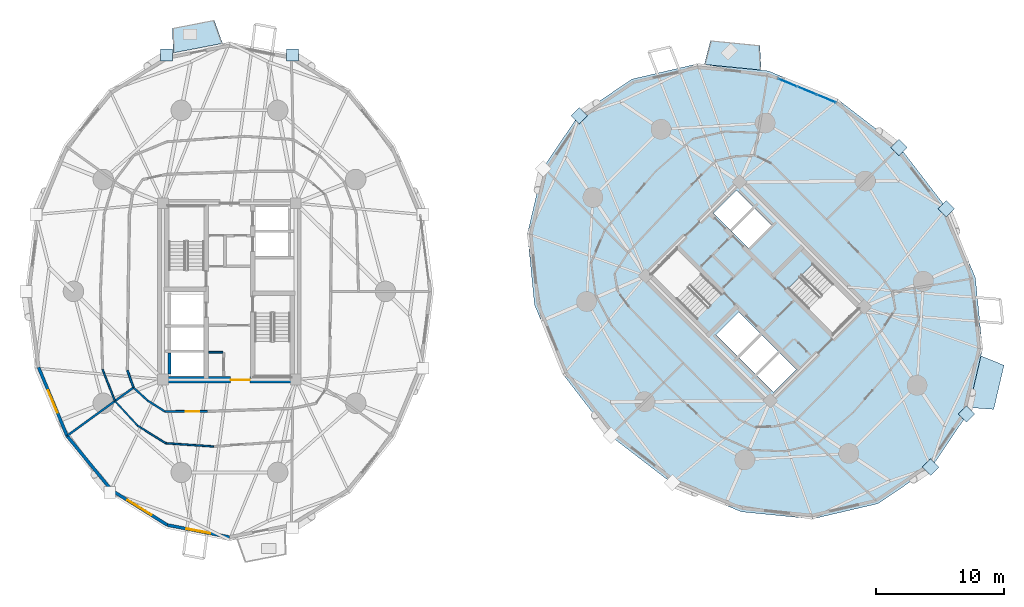
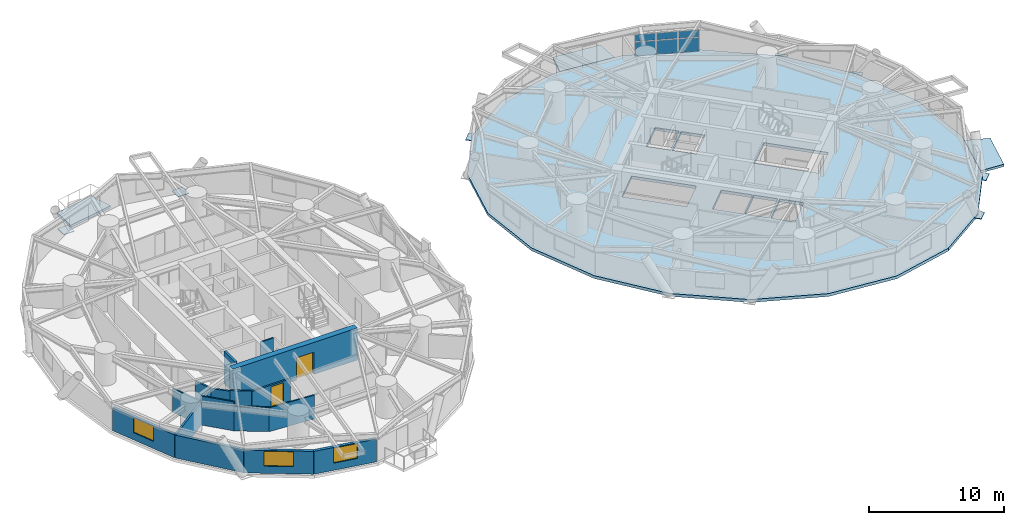
# One storey, part 9 of 18: 16 walls, 13 plates, 4 slabs, 3 windows, 2 doors, 5 openings, 1 element without a shape of its own.
"""IFC4 building model written with IfcOpenShell, lengths in metres."""

from ifc_helpers import new_model, si_unit, direction, frame, frame_2d, origin, origin_2d, place, context, subcontext, project, spatial, polyline, rectangle, outline, extrude, source, transform, mapped, material, layer, layer_set, type_object, element, fill, aggregate, save


model = new_model("IFC4")

# Units and contexts
model_context = context("Model", 3, precision=1e-05, world=origin(), true_north=direction((0.0, 1.0)))
body_context = subcontext(model_context, "Body", "Model", "MODEL_VIEW")
ifc_project = project(units=[si_unit("LENGTHUNIT", "METRE"), si_unit("AREAUNIT", "SQUARE_METRE"), si_unit("VOLUMEUNIT", "CUBIC_METRE"), si_unit("PLANEANGLEUNIT", "RADIAN"), si_unit("MASSUNIT", "GRAM", prefix="KILO")], contexts=[model_context])

# Site, building, storey
site_placement = place(None, origin())
site = spatial("IfcSite", under=ifc_project, at=site_placement, CompositionType="ELEMENT")
building_placement = place(site_placement, origin())
building = spatial("IfcBuilding", under=site, at=building_placement, Name="Cununo Teusaquillo Station Towers", CompositionType="ELEMENT")
storey_placement = place(building_placement, frame((0.0, 0.0, 56.919921875)))
storey = spatial("IfcBuildingStorey", under=building, at=storey_placement, Name="L17", CompositionType="ELEMENT", Elevation=56.919921875)

# Slabs
ifc_material_1 = material(Name="Concrete C50/60", Category="concrete")
ifc_layer_1 = layer(ifc_material_1, 0.2099609375)
ifc_layer_set_1 = layer_set([ifc_layer_1], Name="Concrete C50/60")
slab_type_1 = type_object("IfcSlabType", Name="SLB-BAL-210", PredefinedType="FLOOR", material=ifc_layer_set_1)
slab_1_placement = place(storey_placement, frame((0.0, 0.0, -0.2099609375)))
element("IfcSlab", 1, at=slab_1_placement, inside=storey, type_object=slab_type_1, Name="L17 Tower A Tree Balcony Slab 1", PredefinedType="FLOOR", context=body_context, shape_type="SweptSolid", body=[
    extrude(outline(polyline([(15.958984375, 43.8505859375), (12.1123046875, 43.107421875), (12.043701171875, 45.04443359375), (15.30126953125, 45.673828125), (15.958984375, 43.8505859375)])), origin(), (0.0, 0.0, 1.0), 0.2099609375),
])
slab_2_placement = place(storey_placement, frame((0.0, 0.0, -0.2099609375)))
element("IfcSlab", 2, at=slab_2_placement, inside=storey, type_object=slab_type_1, Name="L17 Tower B Tree Balcony Slab 1", PredefinedType="FLOOR", context=body_context, shape_type="SweptSolid", body=[
    extrude(outline(polyline([(57.98974609375, 41.763427734375), (53.547607421875, 42.20361328125), (54.034912109375, 44.079833984375), (57.8798828125, 43.69873046875), (57.98974609375, 41.763427734375)])), origin(), (0.0, 0.0, 1.0), 0.2099609375),
])
slab_3_placement = place(storey_placement, frame((0.0, 0.0, -0.2099609375)))
element("IfcSlab", 3, at=slab_3_placement, inside=storey, type_object=slab_type_1, Name="L17 Tower B Tree Balcony Slab 2", PredefinedType="FLOOR", context=body_context, shape_type="SweptSolid", body=[
    extrude(outline(polyline([(74.193603515625, 15.43798828125), (75.1328125, 19.462890625), (76.9296875, 18.735595703125), (76.126708984375, 15.295166015625), (74.193603515625, 15.43798828125)])), origin(), (0.0, 0.0, 1.0), 0.2099609375),
])
ifc_material_2 = material(Name="Concrete C50/60", Category="concrete")
ifc_layer_2 = layer(ifc_material_2, 0.260009765625)
ifc_layer_set_2 = layer_set([ifc_layer_2], Name="Concrete C50/60")
slab_type_2 = type_object("IfcSlabType", Name="SLB-Z1-260", PredefinedType="FLOOR", material=ifc_layer_set_2)
slab_4_placement = place(storey_placement, frame((0.0, 0.0, -0.260009765625)))
element("IfcSlab", 4, at=slab_4_placement, inside=storey, type_object=slab_type_2, Name="L17 Tower B Floor Slab", PredefinedType="FLOOR", context=body_context, shape_type="SweptSolid", body=[
    extrude(outline(polyline([(68.7734375, 35.7734375), (63.9716796875, 39.4716796875), (58.53662109375, 41.704345703125), (52.999755859375, 42.2529296875), (47.903564453125, 41.063720703125), (43.746826171875, 38.253173828125), (40.936279296875, 34.096435546875), (39.7470703125, 29.000244140625), (40.295654296875, 23.46337890625), (42.5283203125, 18.0283203125), (46.2265625, 13.2265625), (51.0283203125, 9.5283203125), (56.46337890625, 7.295654296875), (62.000244140625, 6.7470703125), (67.096435546875, 7.936279296875), (71.253173828125, 10.746826171875), (74.063720703125, 14.903564453125), (75.2529296875, 19.999755859375), (74.704345703125, 25.53662109375), (72.4716796875, 30.9716796875), (68.7734375, 35.7734375)]), holes=[polyline([(54.914794921875, 24.28515625), (51.390625, 27.809326171875), (49.43896484375, 25.857666015625), (52.963134765625, 22.33349609375), (54.914794921875, 24.28515625)]), polyline([(60.085205078125, 24.71484375), (63.609375, 21.190673828125), (65.56103515625, 23.142333984375), (62.036865234375, 26.66650390625), (60.085205078125, 24.71484375)]), polyline([(56.156494140625, 19.40869140625), (57.945556640625, 21.19775390625), (56.248291015625, 22.89501953125), (54.45947265625, 21.10595703125), (56.156494140625, 19.40869140625)]), polyline([(58.94970703125, 16.61572265625), (60.738525390625, 18.40478515625), (59.430419921875, 19.712890625), (57.641357421875, 17.923828125), (58.94970703125, 16.61572265625)]), polyline([(57.535400390625, 18.030029296875), (59.32421875, 19.819091796875), (58.01611328125, 21.127197265625), (56.227294921875, 19.338134765625), (57.535400390625, 18.030029296875)]), polyline([(56.98388671875, 27.872802734375), (58.772705078125, 29.661865234375), (57.464599609375, 30.969970703125), (55.67578125, 29.180908203125), (56.98388671875, 27.872802734375)]), polyline([(55.569580078125, 29.287109375), (57.358642578125, 31.076171875), (56.05029296875, 32.38427734375), (54.261474609375, 30.59521484375), (55.569580078125, 29.287109375)])]), origin(), (0.0, 0.0, 1.0), 0.260009765625),
])

# Plates
ifc_material_3 = material(Name="Steel ASTM A572 Grade 50", Category="steel")
ifc_layer_3 = layer(ifc_material_3, 0.050048828125)
ifc_layer_set_3 = layer_set([ifc_layer_3], Name="Steel ASTM A572 Grade 50")
plate_type_1 = type_object("IfcPlateType", Name="PLT-NODE-DN1", PredefinedType="USERDEFINED", material=ifc_layer_set_3)
shared_shape_1 = source(origin(), body_context, "Body", "SweptSolid", [
    extrude(rectangle(XDim=0.919921875, YDim=0.919921875, at=origin_2d()), origin(), (0.0, 0.0, 1.0), 0.050048828125),
])
for number, where, z_axis, x_axis, name in (
    (5, (21.408203125, 42.94091796875, -0.1650390625), (0.0, 0.0, 1.0), (1.0, 0.0, 0.0), "L17 Tower A Diagrid Node Assembly C03"),
    (6, (11.591796875, 42.94091796875, -0.1650390625), (0.0, 0.0, 1.0), (1.0, 0.0, 0.0), "L17 Tower A Diagrid Node Assembly C06"),
    (7, (68.73095703125, 35.73095703125, -0.1650390625), (0.0, 0.0, 1.0), (0.707106781187, 0.707106781187, 0.0), "L17 Tower B Diagrid Node Assembly C00"),
    (8, (43.789306640625, 38.210693359375, -0.1650390625), (0.0, 0.0, 1.0), (0.707106781187, 0.707106781187, 0.0), "L17 Tower B Diagrid Node Assembly C04"),
    (9, (71.210693359375, 10.789306640625, -0.1650390625), (0.0, 0.0, 1.0), (0.707106781187, 0.707106781187, 0.0), "L17 Tower B Diagrid Node Assembly C14"),
    (10, (74.01025390625, 14.930908203125, -0.1650390625), (0.0, 0.0, 1.0), (0.707106781187, 0.707106781187, 0.0), "L17 Tower B Diagrid Node Assembly C16"),
    (11, (72.418212890625, 30.9443359375, -0.1650390625), (0.0, 0.0, 1.0), (0.707106781187, 0.707106781187, 0.0), "L17 Tower B Diagrid Node Assembly C18"),
):
    element("IfcPlate", number, at=place(storey_placement, frame(where, z_axis=z_axis, x_axis=x_axis)), inside=storey, type_object=plate_type_1, Name=name, ObjectType="GUSSET PLATE", PredefinedType="USERDEFINED", context=body_context, shape_type="MappedRepresentation", body=[
        mapped(shared_shape_1, transform((0.0, 0.0, 0.0), x_axis=(1.0, 0.0, 0.0), y_axis=(0.0, 1.0, 0.0), z_axis=(0.0, 0.0, 1.0), scale=1.0)),
    ])

# Curtain wall, plates
ifc_material_4 = material(Name="Operable acoustic tinted low-E double glazing", Category="glass")
ifc_layer_4 = layer(ifc_material_4, 0.179931640625)
ifc_layer_set_4 = layer_set([ifc_layer_4], Name="Operable acoustic tinted low-E double glazing")
curtain_wall_type = type_object("IfcCurtainWallType", Name="CW-SYS-03", PredefinedType="USERDEFINED", material=ifc_layer_set_4)
curtain_wall_placement = place(storey_placement, origin())
curtain_wall = element("IfcCurtainWall", 12, at=curtain_wall_placement, inside=storey, type_object=curtain_wall_type, Name="L17 Tower B Facade Curtain Wall C01", ObjectType="OPERABLE GLAZING", PredefinedType="USERDEFINED")
ifc_material_5 = material(Name="Operable acoustic tinted low-E double glazing", Category="glass")
ifc_layer_5 = layer(ifc_material_5, 0.031982421875)
ifc_layer_set_5 = layer_set([ifc_layer_5], Name="Operable acoustic tinted low-E double glazing")
plate_type_2 = type_object("IfcPlateType", Name="CWP-OPER-32", PredefinedType="CURTAIN_PANEL", material=ifc_layer_set_5)
shared_shape_2 = source(origin(), body_context, "Body", "SweptSolid", [
    extrude(rectangle(XDim=1.541259765625, YDim=0.031982421875, at=origin_2d()), origin(), (0.0, 0.0, 1.0), 1.241943359375),
])
plate_1_placement = place(storey_placement, frame((60.0556640625, 40.783447265625, 0.0703125), z_axis=(0.0, 0.0, 1.0), x_axis=(0.924572384299, -0.381006438517, 0.0)))
plate_1 = element("IfcPlate", 13, at=plate_1_placement, type_object=plate_type_2, Name="CW-03 panel 1.1", PredefinedType="CURTAIN_PANEL", context=body_context, shape_type="MappedRepresentation", body=[
    mapped(shared_shape_2, transform((0.0, 0.0, 0.0), x_axis=(1.0, 0.0, 0.0), y_axis=(0.0, 1.0, 0.0), z_axis=(0.0, 0.0, 1.0), scale=1.0)),
])
plate_2_placement = place(storey_placement, frame((63.0673828125, 39.54248046875, 0.0703125), z_axis=(0.0, 0.0, 1.0), x_axis=(0.924572384299, -0.381006438517, 0.0)))
plate_2 = element("IfcPlate", 14, at=plate_2_placement, type_object=plate_type_2, Name="CW-03 panel 3.1", PredefinedType="CURTAIN_PANEL", context=body_context, shape_type="MappedRepresentation", body=[
    mapped(shared_shape_2, transform((0.0, 0.0, 0.0), x_axis=(1.0, 0.0, 0.0), y_axis=(0.0, 1.0, 0.0), z_axis=(0.0, 0.0, 1.0), scale=1.0)),
])
shared_shape_3 = source(origin(), body_context, "Body", "SweptSolid", [
    extrude(rectangle(XDim=1.541259765625, YDim=0.031982421875, at=origin_2d()), origin(), (0.0, 0.0, 1.0), 0.62109375),
])
plate_3_placement = place(storey_placement, frame((60.0556640625, 40.783447265625, 1.382080078125), z_axis=(0.0, 0.0, 1.0), x_axis=(0.924572384299, -0.381006438517, 0.0)))
plate_3 = element("IfcPlate", 15, at=plate_3_placement, type_object=plate_type_2, Name="CW-03 panel 1.2", PredefinedType="CURTAIN_PANEL", context=body_context, shape_type="MappedRepresentation", body=[
    mapped(shared_shape_3, transform((0.0, 0.0, 0.0), x_axis=(1.0, 0.0, 0.0), y_axis=(0.0, 1.0, 0.0), z_axis=(0.0, 0.0, 1.0), scale=1.0)),
])
plate_4_placement = place(storey_placement, frame((63.0673828125, 39.54248046875, 1.382080078125), z_axis=(0.0, 0.0, 1.0), x_axis=(0.924572384299, -0.381006438517, 0.0)))
plate_4 = element("IfcPlate", 16, at=plate_4_placement, type_object=plate_type_2, Name="CW-03 panel 3.2", PredefinedType="CURTAIN_PANEL", context=body_context, shape_type="MappedRepresentation", body=[
    mapped(shared_shape_3, transform((0.0, 0.0, 0.0), x_axis=(1.0, 0.0, 0.0), y_axis=(0.0, 1.0, 0.0), z_axis=(0.0, 0.0, 1.0), scale=1.0)),
])
shared_shape_4 = source(origin(), body_context, "Body", "SweptSolid", [
    extrude(rectangle(XDim=1.576171875, YDim=0.031982421875, at=origin_2d()), origin(), (0.0, 0.0, 1.0), 1.241943359375),
])
plate_5_placement = place(storey_placement, frame((61.5615234375, 40.1630859375, 0.0703125), z_axis=(0.0, 0.0, 1.0), x_axis=(0.924572384299, -0.381006438517, 0.0)))
plate_5 = element("IfcPlate", 17, at=plate_5_placement, type_object=plate_type_2, Name="CW-03 panel 2.1", PredefinedType="CURTAIN_PANEL", context=body_context, shape_type="MappedRepresentation", body=[
    mapped(shared_shape_4, transform((0.0, 0.0, 0.0), x_axis=(1.0, 0.0, 0.0), y_axis=(0.0, 1.0, 0.0), z_axis=(0.0, 0.0, 1.0), scale=1.0)),
])
shared_shape_5 = source(origin(), body_context, "Body", "SweptSolid", [
    extrude(rectangle(XDim=1.576171875, YDim=0.031982421875, at=origin_2d()), origin(), (0.0, 0.0, 1.0), 0.62109375),
])
plate_6_placement = place(storey_placement, frame((61.5615234375, 40.1630859375, 1.382080078125), z_axis=(0.0, 0.0, 1.0), x_axis=(0.924572384299, -0.381006438517, 0.0)))
plate_6 = element("IfcPlate", 18, at=plate_6_placement, type_object=plate_type_2, Name="CW-03 panel 2.2", PredefinedType="CURTAIN_PANEL", context=body_context, shape_type="MappedRepresentation", body=[
    mapped(shared_shape_5, transform((0.0, 0.0, 0.0), x_axis=(1.0, 0.0, 0.0), y_axis=(0.0, 1.0, 0.0), z_axis=(0.0, 0.0, 1.0), scale=1.0)),
])
aggregate(curtain_wall, [plate_1, plate_3, plate_5, plate_6, plate_2, plate_4])

# Wall
ifc_material_6 = material(Name="Concrete C50/60", Category="concrete")
ifc_layer_6 = layer(ifc_material_6, 0.199951171875)
ifc_layer_set_6 = layer_set([ifc_layer_6], Name="Concrete C50/60")
wall_type_1 = type_object("IfcWallType", Name="WL-CORE-200", PredefinedType="SHEAR", material=ifc_layer_set_6)
wall_1_placement = place(storey_placement, frame((11.820068359375, 18.070068359375, 0.0), z_axis=(0.0, 0.0, 1.0), x_axis=(0.0, 1.0, 0.0)))
element("IfcWall", 19, at=wall_1_placement, inside=storey, type_object=wall_type_1, Name="L17 Tower A High-Rise Lift 1 Shaft Rear Shear Wall", PredefinedType="SHEAR", context=body_context, shape_type="SweptSolid", body=[
    extrude(rectangle(XDim=1.635009765625, YDim=0.199951171875, at=frame_2d((0.8173828125, 0.0))), origin(), (0.0, 0.0, 1.0), 2.91015625),
])

# Wall, opening, door
ifc_material_7 = material(Name="Concrete C60/75", Category="concrete")
ifc_layer_7 = layer(ifc_material_7, 0.5)
ifc_layer_set_7 = layer_set([ifc_layer_7], Name="Concrete C60/75")
wall_type_2 = type_object("IfcWallType", Name="WL-CORE-500", PredefinedType="SHEAR", material=ifc_layer_set_7)
wall_2_placement = place(storey_placement, frame((11.14990234375, 17.60009765625, 0.0), z_axis=(0.0, 0.0, 1.0), x_axis=(1.0, 0.0, 0.0)))
wall_2 = element("IfcWall", 20, at=wall_2_placement, inside=storey, type_object=wall_type_2, Name="L17 Tower A Core Shear Wall S", PredefinedType="SHEAR", context=body_context, shape_type="SweptSolid", body=[
    extrude(rectangle(XDim=10.7001953125, YDim=0.5, at=frame_2d((5.35009765625, 0.0))), origin(), (0.0, 0.0, 1.0), 2.91015625),
])
shared_shape_6 = source(origin(), body_context, "Body", "SweptSolid", [
    extrude(rectangle(XDim=1.5, YDim=2.02001953125, at=frame_2d((0.75, 1.010009765625))), frame((0.0, 0.260009765625, 0.0), z_axis=(0.0, -1.0, 0.0), x_axis=(1.0, 0.0, 0.0)), (0.0, 0.0, 1.0), 0.52001953125),
])
opening_1_placement = place(wall_2_placement, frame((5.449951171875, 0.0, 0.0)))
opening_1 = element("IfcOpeningElement", 21, at=opening_1_placement, cuts=wall_2, Name="Opening D-LB1", PredefinedType="OPENING", context=body_context, shape_type="MappedRepresentation", body=[
    mapped(shared_shape_6, transform((0.0, 0.0, 0.0), x_axis=(1.0, 0.0, 0.0), y_axis=(0.0, 1.0, 0.0), z_axis=(0.0, 0.0, 1.0), scale=1.0)),
])
ifc_material_8 = material(Name="Galvanised fire-rated hollow steel door assembly", Category="steel")
door_type_1 = type_object("IfcDoorType", Name="DR-LOBBY-1500", OperationType="DOUBLE_DOOR_SINGLE_SWING", PredefinedType="DOOR", material=ifc_material_8)
shared_shape_7 = source(origin(), body_context, "Body", "SweptSolid", [
    extrude(rectangle(XDim=1.5, YDim=2.02001953125, at=frame_2d((0.75, 1.010009765625))), frame((0.0, 0.02490234375, 0.0), z_axis=(0.0, -1.0, 0.0), x_axis=(1.0, 0.0, 0.0)), (0.0, 0.0, 1.0), 0.050048828125),
])
door_1_placement = place(opening_1_placement, origin())
door_1 = element("IfcDoor", 22, at=door_1_placement, inside=storey, type_object=door_type_1, Name="L17 Tower A South Core Lift Lobby Door", OperationType="DOUBLE_DOOR_SINGLE_SWING", OverallHeight=2.02001953125, OverallWidth=1.5, PredefinedType="DOOR", context=body_context, shape_type="MappedRepresentation", body=[
    mapped(shared_shape_7, transform((0.0, 0.0, 0.0), x_axis=(1.0, 0.0, 0.0), y_axis=(0.0, 1.0, 0.0), z_axis=(0.0, 0.0, 1.0), scale=1.0)),
])
fill(opening_1, door_1)

# Wall, opening, window
ifc_material_9 = material(Name="Precast concrete C40/50", Category="concrete")
ifc_layer_8 = layer(ifc_material_9, 0.239990234375)
ifc_layer_set_8 = layer_set([ifc_layer_8], Name="Precast concrete C40/50")
wall_type_3 = type_object("IfcWallType", Name="WL-EXT-240", PredefinedType="SOLIDWALL", material=ifc_layer_set_8)
wall_3_placement = place(storey_placement, frame((3.828369140625, 13.232177734375, 0.0), z_axis=(0.0, 0.0, 1.0), x_axis=(-0.384348836956, 0.923187939442, 0.0)))
wall_3 = element("IfcWall", 23, at=wall_3_placement, inside=storey, type_object=wall_type_3, Name="L17 Tower A Exterior Facade Wall C11", PredefinedType="SOLIDWALL", context=body_context, shape_type="SweptSolid", body=[
    extrude(rectangle(XDim=5.78857421875, YDim=0.239990234375, at=frame_2d((2.894287109375, 0.0))), origin(), (0.0, 0.0, 1.0), 2.072998046875),
])
shared_shape_8 = source(origin(), body_context, "Body", "SweptSolid", [
    extrude(rectangle(XDim=1.89990234375, YDim=1.35009765625, at=frame_2d((0.949951171875, 0.675048828125))), frame((0.0, 0.1298828125, 0.0), z_axis=(0.0, -1.0, 0.0), x_axis=(1.0, 0.0, 0.0)), (0.0, 0.0, 1.0), 0.260009765625),
])
opening_2_placement = place(wall_3_placement, frame((1.944091796875, 0.0, 0.64990234375)))
opening_2 = element("IfcOpeningElement", 24, at=opening_2_placement, cuts=wall_3, Name="Opening WN-02", PredefinedType="OPENING", context=body_context, shape_type="MappedRepresentation", body=[
    mapped(shared_shape_8, transform((0.0, 0.0, 0.0), x_axis=(1.0, 0.0, 0.0), y_axis=(0.0, 1.0, 0.0), z_axis=(0.0, 0.0, 1.0), scale=1.0)),
])
ifc_material_10 = material(Name="Operable acoustic tinted low-E double glazing", Category="glass")
window_type_1 = type_object("IfcWindowType", Name="WIN-OPER-1900", PartitioningType="DOUBLE_PANEL_VERTICAL", PredefinedType="WINDOW", material=ifc_material_10)
shared_shape_9 = source(origin(), body_context, "Body", "SweptSolid", [
    extrude(rectangle(XDim=1.89990234375, YDim=1.35009765625, at=frame_2d((0.949951171875, 0.675048828125))), frame((0.0, 0.030029296875, 0.0), z_axis=(0.0, -1.0, 0.0), x_axis=(1.0, 0.0, 0.0)), (0.0, 0.0, 1.0), 0.06005859375),
])
window_1_placement = place(opening_2_placement, origin())
window_1 = element("IfcWindow", 25, at=window_1_placement, inside=storey, type_object=window_type_1, Name="L17 Tower A Facade Window C11", OverallHeight=1.35009765625, OverallWidth=1.89990234375, PartitioningType="DOUBLE_PANEL_VERTICAL", PredefinedType="WINDOW", context=body_context, shape_type="MappedRepresentation", body=[
    mapped(shared_shape_9, transform((0.0, 0.0, 0.0), x_axis=(1.0, 0.0, 0.0), y_axis=(0.0, 1.0, 0.0), z_axis=(0.0, 0.0, 1.0), scale=1.0)),
])
fill(opening_2, window_1)

# Wall
wall_4_placement = place(storey_placement, frame((7.29345703125, 8.9912109375, 0.0), z_axis=(0.0, 0.0, 1.0), x_axis=(-0.632713287022, 0.77438614168, 0.0)))
element("IfcWall", 26, at=wall_4_placement, inside=storey, type_object=wall_type_3, Name="L17 Tower A Exterior Facade Wall C12", PredefinedType="SOLIDWALL", context=body_context, shape_type="SweptSolid", body=[
    extrude(rectangle(XDim=5.4765625, YDim=0.239990234375, at=frame_2d((2.73828125, 0.0))), origin(), (0.0, 0.0, 1.0), 2.072998046875),
])

# Wall, opening, window
wall_5_placement = place(storey_placement, frame((11.659912109375, 6.268310546875, 0.0), z_axis=(0.0, 0.0, 1.0), x_axis=(-0.848533613342, 0.529141481107, 0.0)))
wall_5 = element("IfcWall", 27, at=wall_5_placement, inside=storey, type_object=wall_type_3, Name="L17 Tower A Exterior Facade Wall C13", PredefinedType="SOLIDWALL", context=body_context, shape_type="SweptSolid", body=[
    extrude(rectangle(XDim=5.14599609375, YDim=0.239990234375, at=frame_2d((2.572998046875, 0.0))), origin(), (0.0, 0.0, 1.0), 2.072998046875),
])
shared_shape_10 = source(origin(), body_context, "Body", "SweptSolid", [
    extrude(rectangle(XDim=2.199951171875, YDim=1.35009765625, at=frame_2d((1.10009765625, 0.675048828125))), frame((0.0, 0.1298828125, 0.0), z_axis=(0.0, -1.0, 0.0), x_axis=(1.0, 0.0, 0.0)), (0.0, 0.0, 1.0), 0.260009765625),
])
opening_3_placement = place(wall_5_placement, frame((1.472900390625, 0.0, 0.64990234375)))
opening_3 = element("IfcOpeningElement", 28, at=opening_3_placement, cuts=wall_5, Name="Opening WN-01", PredefinedType="OPENING", context=body_context, shape_type="MappedRepresentation", body=[
    mapped(shared_shape_10, transform((0.0, 0.0, 0.0), x_axis=(1.0, 0.0, 0.0), y_axis=(0.0, 1.0, 0.0), z_axis=(0.0, 0.0, 1.0), scale=1.0)),
])
ifc_material_11 = material(Name="Ceramic-fritted dark low-E double glazing", Category="glass")
window_type_2 = type_object("IfcWindowType", Name="WIN-FRIT-2200", PartitioningType="DOUBLE_PANEL_VERTICAL", PredefinedType="WINDOW", material=ifc_material_11)
shared_shape_11 = source(origin(), body_context, "Body", "SweptSolid", [
    extrude(rectangle(XDim=2.199951171875, YDim=1.35009765625, at=frame_2d((1.10009765625, 0.675048828125))), frame((0.0, 0.030029296875, 0.0), z_axis=(0.0, -1.0, 0.0), x_axis=(1.0, 0.0, 0.0)), (0.0, 0.0, 1.0), 0.06005859375),
])
window_2_placement = place(opening_3_placement, origin())
window_2 = element("IfcWindow", 29, at=window_2_placement, inside=storey, type_object=window_type_2, Name="L17 Tower A Facade Window C13", OverallHeight=1.35009765625, OverallWidth=2.199951171875, PartitioningType="DOUBLE_PANEL_VERTICAL", PredefinedType="WINDOW", context=body_context, shape_type="MappedRepresentation", body=[
    mapped(shared_shape_11, transform((0.0, 0.0, 0.0), x_axis=(1.0, 0.0, 0.0), y_axis=(0.0, 1.0, 0.0), z_axis=(0.0, 0.0, 1.0), scale=1.0)),
])
fill(opening_3, window_2)

wall_6_placement = place(storey_placement, frame((16.5, 5.330078125, 0.0), z_axis=(0.0, 0.0, 1.0), x_axis=(-0.981725274071, 0.190303668512, 0.0)))
wall_6 = element("IfcWall", 30, at=wall_6_placement, inside=storey, type_object=wall_type_3, Name="L17 Tower A Exterior Facade Wall C14", PredefinedType="SOLIDWALL", context=body_context, shape_type="SweptSolid", body=[
    extrude(rectangle(XDim=4.93017578125, YDim=0.239990234375, at=frame_2d((2.465087890625, 0.0))), origin(), (0.0, 0.0, 1.0), 2.072998046875),
])
opening_4_placement = place(wall_6_placement, frame((1.514892578125, 0.0, 0.64990234375)))
opening_4 = element("IfcOpeningElement", 31, at=opening_4_placement, cuts=wall_6, Name="Opening WN-02", PredefinedType="OPENING", context=body_context, shape_type="MappedRepresentation", body=[
    mapped(shared_shape_8, transform((0.0, 0.0, 0.0), x_axis=(1.0, 0.0, 0.0), y_axis=(0.0, 1.0, 0.0), z_axis=(0.0, 0.0, 1.0), scale=1.0)),
])
window_3_placement = place(opening_4_placement, origin())
window_3 = element("IfcWindow", 32, at=window_3_placement, inside=storey, type_object=window_type_1, Name="L17 Tower A Facade Window C14", OverallHeight=1.35009765625, OverallWidth=1.89990234375, PartitioningType="DOUBLE_PANEL_VERTICAL", PredefinedType="WINDOW", context=body_context, shape_type="MappedRepresentation", body=[
    mapped(shared_shape_9, transform((0.0, 0.0, 0.0), x_axis=(1.0, 0.0, 0.0), y_axis=(0.0, 1.0, 0.0), z_axis=(0.0, 0.0, 1.0), scale=1.0)),
])
fill(opening_4, window_3)

# Walls
ifc_material_12 = material(Name="Fire-rated gypsum plasterboard partition assembly", Category="gypsum")
ifc_layer_9 = layer(ifc_material_12, 0.125)
ifc_layer_set_9 = layer_set([ifc_layer_9], Name="Fire-rated gypsum plasterboard partition assembly")
wall_type_4 = type_object("IfcWallType", Name="WL-PART-125", PredefinedType="PARTITIONING", material=ifc_layer_set_9)
wall_7_placement = place(storey_placement, frame((14.8798828125, 19.75, 0.0), z_axis=(0.0, 0.0, 1.0), x_axis=(1.0, 0.0, 0.0)))
element("IfcWall", 33, at=wall_7_placement, inside=storey, type_object=wall_type_4, Name="L17 Tower A South-West Compact Store North Wall", PredefinedType="PARTITIONING", context=body_context, shape_type="SweptSolid", body=[
    extrude(rectangle(XDim=1.10009765625, YDim=0.125, at=frame_2d((0.550048828125, 0.0))), origin(), (0.0, 0.0, 1.0), 2.635009765625),
])
wall_8_placement = place(storey_placement, frame((6.601806640625, 18.406494140625, 0.0), z_axis=(0.0, 0.0, 1.0), x_axis=(0.363943166681, -0.931421156849, 0.0)))
element("IfcWall", 34, at=wall_8_placement, inside=storey, type_object=wall_type_4, Name="L17 Tower A Hotel Concierge & Library Club Concentric Partition Wall C11", PredefinedType="PARTITIONING", context=body_context, shape_type="SweptSolid", body=[
    extrude(rectangle(XDim=2.643798828125, YDim=0.125, at=frame_2d((1.32177734375, 0.0))), origin(), (0.0, 0.0, 1.0), 2.1591796875),
])
wall_9_placement = place(storey_placement, frame((7.56396484375, 15.944091796875, 0.0), z_axis=(0.0, 0.0, 1.0), x_axis=(0.677781429023, -0.735263445624, 0.0)))
element("IfcWall", 35, at=wall_9_placement, inside=storey, type_object=wall_type_4, Name="L17 Tower A Hotel Executive Conference Salon Concentric Partition Wall C12", PredefinedType="PARTITIONING", context=body_context, shape_type="SweptSolid", body=[
    extrude(rectangle(XDim=2.603515625, YDim=0.125, at=frame_2d((1.3017578125, 0.0))), origin(), (0.0, 0.0, 1.0), 2.635009765625),
])
wall_10_placement = place(storey_placement, frame((9.32861328125, 14.02978515625, 0.0), z_axis=(0.0, 0.0, 1.0), x_axis=(0.846499184235, -0.532390017834, 0.0)))
element("IfcWall", 36, at=wall_10_placement, inside=storey, type_object=wall_type_4, Name="L17 Tower A Hotel Executive Conference Salon Concentric Partition Wall C13", PredefinedType="PARTITIONING", context=body_context, shape_type="SweptSolid", body=[
    extrude(rectangle(XDim=2.5859375, YDim=0.125, at=frame_2d((1.29296875, 0.0))), origin(), (0.0, 0.0, 1.0), 2.205078125),
])
wall_11_placement = place(storey_placement, frame((11.517578125, 12.653076171875, 0.0), z_axis=(0.0, 0.0, 1.0), x_axis=(0.997709106843, -0.067650115472, 0.0)))
element("IfcWall", 37, at=wall_11_placement, inside=storey, type_object=wall_type_4, Name="L17 Tower A Hotel Executive Conference Salon Concentric Partition Wall C14", PredefinedType="PARTITIONING", context=body_context, shape_type="SweptSolid", body=[
    extrude(rectangle(XDim=3.753173828125, YDim=0.125, at=frame_2d((1.87646484375, 0.0))), origin(), (0.0, 0.0, 1.0), 2.1591796875),
])
ifc_material_13 = material(Name="Fire-rated gypsum plasterboard partition assembly", Category="gypsum")
ifc_layer_10 = layer(ifc_material_13, 0.14990234375)
ifc_layer_set_10 = layer_set([ifc_layer_10], Name="Fire-rated gypsum plasterboard partition assembly")
wall_type_5 = type_object("IfcWallType", Name="WL-PART-150", PredefinedType="PARTITIONING", material=ifc_layer_set_10)
wall_12_placement = place(storey_placement, frame((8.538330078125, 18.338134765625, 0.0), z_axis=(0.0, 0.0, 1.0), x_axis=(0.331358150167, -0.94350504838, 0.0)))
element("IfcWall", 38, at=wall_12_placement, inside=storey, type_object=wall_type_5, Name="L17 Tower A Corridor Ring Wall C11", PredefinedType="PARTITIONING", context=body_context, shape_type="SweptSolid", body=[
    extrude(rectangle(XDim=1.42431640625, YDim=0.14990234375, at=frame_2d((0.712158203125, 0.0))), origin(), (0.0, 0.0, 1.0), 2.205078125),
])
wall_13_placement = place(storey_placement, frame((9.01025390625, 16.994384765625, 0.0), z_axis=(0.0, 0.0, 1.0), x_axis=(0.737701798986, -0.67512669609, 0.0)))
element("IfcWall", 39, at=wall_13_placement, inside=storey, type_object=wall_type_5, Name="L17 Tower A Corridor Ring Wall C12", PredefinedType="PARTITIONING", context=body_context, shape_type="SweptSolid", body=[
    extrude(rectangle(XDim=1.498291015625, YDim=0.14990234375, at=frame_2d((0.7490234375, 0.0))), origin(), (0.0, 0.0, 1.0), 2.1591796875),
])
wall_14_placement = place(storey_placement, frame((10.115478515625, 15.98291015625, 0.0), z_axis=(0.0, 0.0, 1.0), x_axis=(0.843995849351, -0.536349705209, 0.0)))
element("IfcWall", 40, at=wall_14_placement, inside=storey, type_object=wall_type_5, Name="L17 Tower A Corridor Ring Wall C13", PredefinedType="PARTITIONING", context=body_context, shape_type="SweptSolid", body=[
    extrude(rectangle(XDim=1.5927734375, YDim=0.14990234375, at=frame_2d((0.79638671875, 0.0))), origin(), (0.0, 0.0, 1.0), 2.205078125),
])

# Wall, opening, door
wall_15_placement = place(storey_placement, frame((11.459716796875, 15.128662109375, 0.0), z_axis=(0.0, 0.0, 1.0), x_axis=(0.999993513287, 0.003601858435, 0.0)))
wall_15 = element("IfcWall", 41, at=wall_15_placement, inside=storey, type_object=wall_type_5, Name="L17 Tower A Corridor Ring Wall C14", PredefinedType="PARTITIONING", context=body_context, shape_type="SweptSolid", body=[
    extrude(rectangle(XDim=3.3212890625, YDim=0.14990234375, at=frame_2d((1.66064453125, 0.0))), origin(), (0.0, 0.0, 1.0), 2.1591796875),
])
shared_shape_12 = source(origin(), body_context, "Body", "SweptSolid", [
    extrude(rectangle(XDim=1.050048828125, YDim=2.014892578125, at=frame_2d((0.52490234375, 1.00732421875))), frame((0.0, 0.0849609375, 0.0), z_axis=(0.0, -1.0, 0.0), x_axis=(1.0, 0.0, 0.0)), (0.0, 0.0, 1.0), 0.169921875),
])
opening_5_placement = place(wall_15_placement, frame((1.643310546875, 0.0, 0.0)))
opening_5 = element("IfcOpeningElement", 42, at=opening_5_placement, cuts=wall_15, Name="Opening D-SU1", PredefinedType="OPENING", context=body_context, shape_type="MappedRepresentation", body=[
    mapped(shared_shape_12, transform((0.0, 0.0, 0.0), x_axis=(1.0, 0.0, 0.0), y_axis=(0.0, 1.0, 0.0), z_axis=(0.0, 0.0, 1.0), scale=1.0)),
])
ifc_material_14 = material(Name="Acoustic solid-core hardwood leaf assembly", Category="wood")
door_type_2 = type_object("IfcDoorType", Name="DR-SUITE-1050", OperationType="NOTDEFINED", PredefinedType="DOOR", material=ifc_material_14)
shared_shape_13 = source(origin(), body_context, "Body", "SweptSolid", [
    extrude(rectangle(XDim=1.050048828125, YDim=2.014892578125, at=frame_2d((0.52490234375, 1.00732421875))), frame((0.0, 0.02490234375, 0.0), z_axis=(0.0, -1.0, 0.0), x_axis=(1.0, 0.0, 0.0)), (0.0, 0.0, 1.0), 0.050048828125),
])
door_2_placement = place(opening_5_placement, origin())
door_2 = element("IfcDoor", 43, at=door_2_placement, inside=storey, type_object=door_type_2, Name="L17 Tower A Hotel Executive Conference Salon Entrance Door", OperationType="SINGLE_SWING_RIGHT", OverallHeight=2.014892578125, OverallWidth=1.050048828125, PredefinedType="DOOR", context=body_context, shape_type="MappedRepresentation", body=[
    mapped(shared_shape_13, transform((0.0, 0.0, 0.0), x_axis=(1.0, 0.0, 0.0), y_axis=(0.0, 1.0, 0.0), z_axis=(0.0, 0.0, 1.0), scale=1.0)),
])
fill(opening_5, door_2)

# Wall
ifc_material_15 = material(Name="Fire-rated gypsum plasterboard partition assembly", Category="gypsum")
ifc_layer_11 = layer(ifc_material_15, 0.159912109375)
ifc_layer_set_11 = layer_set([ifc_layer_11], Name="Fire-rated gypsum plasterboard partition assembly")
wall_type_6 = type_object("IfcWallType", Name="WL-PART-160", PredefinedType="PARTITIONING", material=ifc_layer_set_11)
wall_16_placement = place(storey_placement, frame((9.01025390625, 16.994384765625, 0.0), z_axis=(0.0, 0.0, 1.0), x_axis=(-0.809215422166, -0.58751204288, 0.0)))
element("IfcWall", 44, at=wall_16_placement, inside=storey, type_object=wall_type_6, Name="L17 Tower A Radial Suite Partition R04", PredefinedType="PARTITIONING", context=body_context, shape_type="SweptSolid", body=[
    extrude(rectangle(XDim=6.3837890625, YDim=0.159912109375, at=frame_2d((3.19189453125, 0.0))), origin(), (0.0, 0.0, 1.0), 2.072998046875),
])

save(model, "model.ifc")
